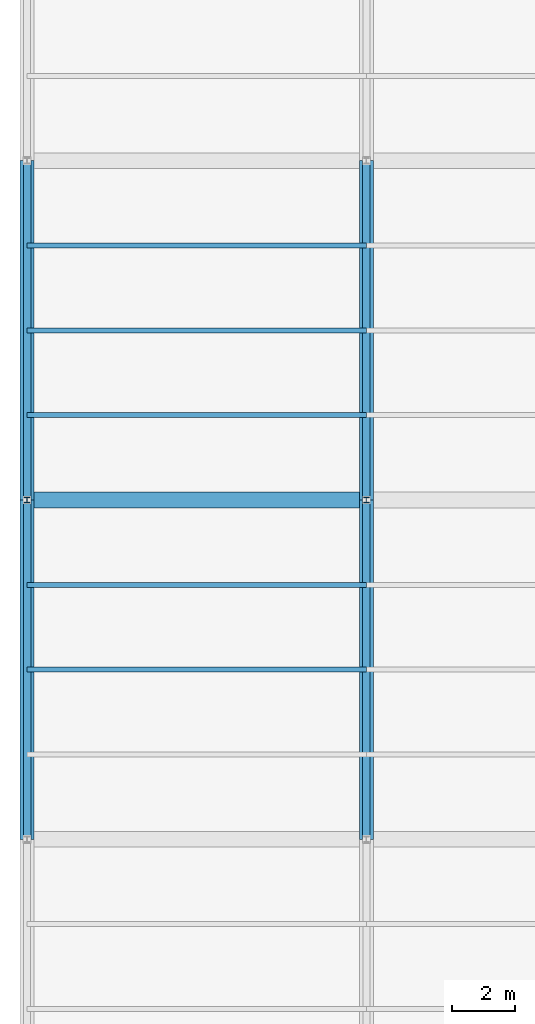
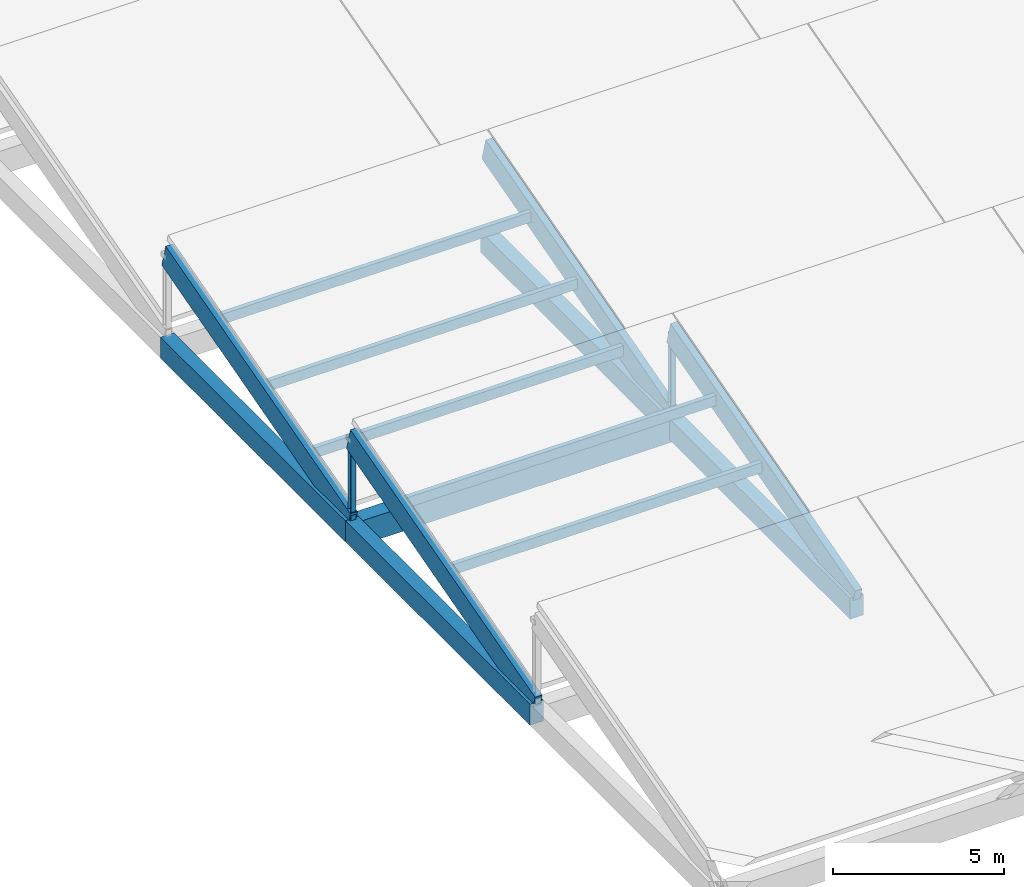
# One storey, part 13 of 112: 11 members, 5 beams.
"""IFC4 building model written with IfcOpenShell, lengths in metres."""

from ifc_helpers import new_model, si_unit, direction, frame, origin, origin_2d, place, context, subcontext, project, spatial, rectangle, i_section, extrude, material, material_profile, profile_set, type_object, element, save


model = new_model("IFC4")

# Units and contexts
model_context = context("Model", 3, precision=1e-05, world=origin(), true_north=direction((0.0, 1.0)))
body_context = subcontext(model_context, "Body", "Model", "MODEL_VIEW")
ifc_project = project(units=[si_unit("LENGTHUNIT", "METRE"), si_unit("AREAUNIT", "SQUARE_METRE"), si_unit("VOLUMEUNIT", "CUBIC_METRE"), si_unit("PLANEANGLEUNIT", "RADIAN"), si_unit("MASSUNIT", "GRAM", prefix="KILO")], contexts=[model_context])

# Site, building, storey
site_placement = place(None, origin())
site = spatial("IfcSite", under=ifc_project, at=site_placement, CompositionType="ELEMENT")
building_placement = place(site_placement, origin())
building = spatial("IfcBuilding", under=site, at=building_placement, Name="Zwinboog Wholesale Market", CompositionType="ELEMENT")
storey_placement = place(building_placement, frame((0.0, 0.0, 19.080078125)))
storey = spatial("IfcBuildingStorey", under=building, at=storey_placement, Name="Roof", CompositionType="ELEMENT", Elevation=19.080078125)

# Beams
ifc_material_1 = material(Name="Precast concrete C45/55", Category="concrete")
ifc_material_profile_1 = material_profile(ifc_material_1, rectangle(XDim=0.5, YDim=0.85009765625, at=origin_2d()), Name="PC 500x850")
ifc_profile_set_1 = profile_set([ifc_material_profile_1], Name="Precast concrete C45/55")
beam_type_1 = type_object("IfcBeamType", Name="BT-03", PredefinedType="BEAM", material=ifc_profile_set_1)
beam_placement = place(storey_placement, frame((0.0, 54.0, -9.425048828125), z_axis=(1.0, 0.0, 0.0), x_axis=(0.0, 1.0, 0.0)))
element("IfcBeam", 1, at=beam_placement, inside=storey, type_object=beam_type_1, Name="BG-03 (BMG-Roof-0000-0540-1167)", PredefinedType="BEAM", context=body_context, shape_type="SweptSolid", body=[
    extrude(rectangle(XDim=0.5, YDim=0.85009765625, at=origin_2d()), origin(), (0.0, 0.0, 1.0), 10.800048828125),
])
ifc_material_profile_2 = material_profile(ifc_material_1, rectangle(XDim=0.449951171875, YDim=0.75, at=origin_2d()), Name="PC 450x750")
ifc_profile_set_2 = profile_set([ifc_material_profile_2], Name="Precast concrete C45/55")
beam_type_2 = type_object("IfcBeamType", Name="BT-04", PredefinedType="BEAM", material=ifc_profile_set_2)
for number, where, z_axis, x_axis, name in (
    (2, (0.0, 43.199951171875, -9.375), (0.0, 1.0, 0.0), (-1.0, 0.0, 0.0), "BG-04 (BMG-Roof-0000-0432-1205)"),
    (3, (0.0, 54.0, -9.375), (0.0, 1.0, 0.0), (-1.0, 0.0, 0.0), "BG-04 (BMG-Roof-0000-0540-1206)"),
    (4, (10.800048828125, 43.199951171875, -9.375), (0.0, 1.0, 0.0), (-1.0, 0.0, 0.0), "BG-04 (BMG-Roof-0108-0432-1215)"),
    (5, (10.800048828125, 54.0, -9.375), (0.0, 1.0, 0.0), (-1.0, 0.0, 0.0), "BG-04 (BMG-Roof-0108-0540-1216)"),
):
    element("IfcBeam", number, at=place(storey_placement, frame(where, z_axis=z_axis, x_axis=x_axis)), inside=storey, type_object=beam_type_2, Name=name, PredefinedType="BEAM", context=body_context, shape_type="SweptSolid", body=[
        extrude(rectangle(XDim=0.449951171875, YDim=0.75, at=origin_2d()), origin(), (0.0, 0.0, 1.0), 10.800048828125),
    ])

# Members
ifc_material_2 = material(Name="Steel S355", Category="steel")
ifc_material_profile_3 = material_profile(ifc_material_2, i_section(OverallWidth=0.179931640625, OverallDepth=0.1708984375, WebThickness=0.006103515625, FlangeThickness=0.009521484375, FilletRadius=0.014892578125, at=origin_2d()), Name="HEA 180")
ifc_profile_set_3 = profile_set([ifc_material_profile_3], Name="Steel S355")
member_type_1 = type_object("IfcMemberType", Name="MT-07", PredefinedType="BRACE", material=ifc_profile_set_3)
member_1_placement = place(storey_placement, frame((0.0, 54.0, -9.2001953125), z_axis=(0.0, 0.0, 1.0), x_axis=(1.0, 0.0, 0.0)))
element("IfcMember", 6, at=member_1_placement, inside=storey, type_object=member_type_1, Name="DB-04 (MEM-Roof-0738)", PredefinedType="BRACE", context=body_context, shape_type="SweptSolid", body=[
    extrude(i_section(OverallWidth=0.179931640625, OverallDepth=0.1708984375, WebThickness=0.006103515625, FlangeThickness=0.009521484375, FilletRadius=0.014892578125, at=origin_2d()), origin(), (0.0, 0.0, 1.0), 3.074462890625),
])
member_2_placement = place(storey_placement, frame((10.800048828125, 54.0, -9.2001953125), z_axis=(0.0, 0.0, 1.0), x_axis=(1.0, 0.0, 0.0)))
element("IfcMember", 7, at=member_2_placement, inside=storey, type_object=member_type_1, Name="DB-04 (MEM-Roof-0742)", PredefinedType="BRACE", context=body_context, shape_type="SweptSolid", body=[
    extrude(i_section(OverallWidth=0.179931640625, OverallDepth=0.1708984375, WebThickness=0.006103515625, FlangeThickness=0.009521484375, FilletRadius=0.014892578125, at=origin_2d()), origin(), (0.0, 0.0, 1.0), 3.0869140625),
])
ifc_material_3 = material(Name="Glulam GL28h", Category="wood")
ifc_material_profile_4 = material_profile(ifc_material_3, rectangle(XDim=0.239990234375, YDim=0.840087890625, at=origin_2d()), Name="GL28h 240x840")
ifc_profile_set_4 = profile_set([ifc_material_profile_4], Name="Glulam GL28h")
member_type_2 = type_object("IfcMemberType", Name="MT-09", PredefinedType="RAFTER", material=ifc_profile_set_4)
for number, where, z_axis, x_axis, name in (
    (8, (0.0, 43.199951171875, -9.125732421875), (0.0, 0.963518221675, 0.26764274042), (-1.0, 0.0, 0.0), "GR-01 (MEM-Roof-0739)"),
    (9, (10.800048828125, 43.199951171875, -9.11328125), (0.0, 0.963518221675, 0.26764274042), (-1.0, 0.0, 0.0), "GR-01 (MEM-Roof-0743)"),
    (10, (0.0, 54.0, -9.125732421875), (0.0, 0.963518221675, 0.26764274042), (-1.0, 0.0, 0.0), "GR-01 (MEM-Roof-0757)"),
    (11, (10.800048828125, 54.0, -9.11328125), (0.0, 0.963518221675, 0.26764274042), (-1.0, 0.0, 0.0), "GR-01 (MEM-Roof-0761)"),
):
    element("IfcMember", number, at=place(storey_placement, frame(where, z_axis=z_axis, x_axis=x_axis)), inside=storey, type_object=member_type_2, Name=name, PredefinedType="RAFTER", context=body_context, shape_type="SweptSolid", body=[
        extrude(rectangle(XDim=0.239990234375, YDim=0.840087890625, at=origin_2d()), origin(), (0.0, 0.0, 1.0), 11.208984375),
    ])
ifc_material_profile_5 = material_profile(ifc_material_3, rectangle(XDim=0.159912109375, YDim=0.360107421875, at=origin_2d()), Name="GL28h 160x360")
ifc_profile_set_5 = profile_set([ifc_material_profile_5], Name="Glulam GL28h")
member_type_3 = type_object("IfcMemberType", Name="MT-12", PredefinedType="PURLIN", material=ifc_profile_set_5)
for number, where, z_axis, x_axis, name in (
    (12, (0.0, 51.300048828125, -6.845703125), (1.0, 0.0, 0.0), (0.0, 1.0, 0.0), "GP-01 (MEM-Roof-0741)"),
    (13, (0.0, 56.699951171875, -8.345703125), (1.0, 0.0, 0.0), (0.0, 1.0, 0.0), "GP-01 (MEM-Roof-0758)"),
    (14, (0.0, 62.10009765625, -6.845703125), (1.0, 0.0, 0.0), (0.0, 1.0, 0.0), "GP-01 (MEM-Roof-0759)"),
    (15, (0.0, 48.60009765625, -7.595703125), (1.0, 0.0, 0.0), (0.0, 1.0, 0.0), "GP-01 (MEM-PRL-Roof-0017)"),
    (16, (0.0, 59.39990234375, -7.595703125), (1.0, 0.0, 0.0), (0.0, 1.0, 0.0), "GP-01 (MEM-PRL-Roof-0021)"),
):
    element("IfcMember", number, at=place(storey_placement, frame(where, z_axis=z_axis, x_axis=x_axis)), inside=storey, type_object=member_type_3, Name=name, PredefinedType="PURLIN", context=body_context, shape_type="SweptSolid", body=[
        extrude(rectangle(XDim=0.159912109375, YDim=0.360107421875, at=origin_2d()), origin(), (0.0, 0.0, 1.0), 10.800048828125),
    ])

save(model, "model.ifc")
